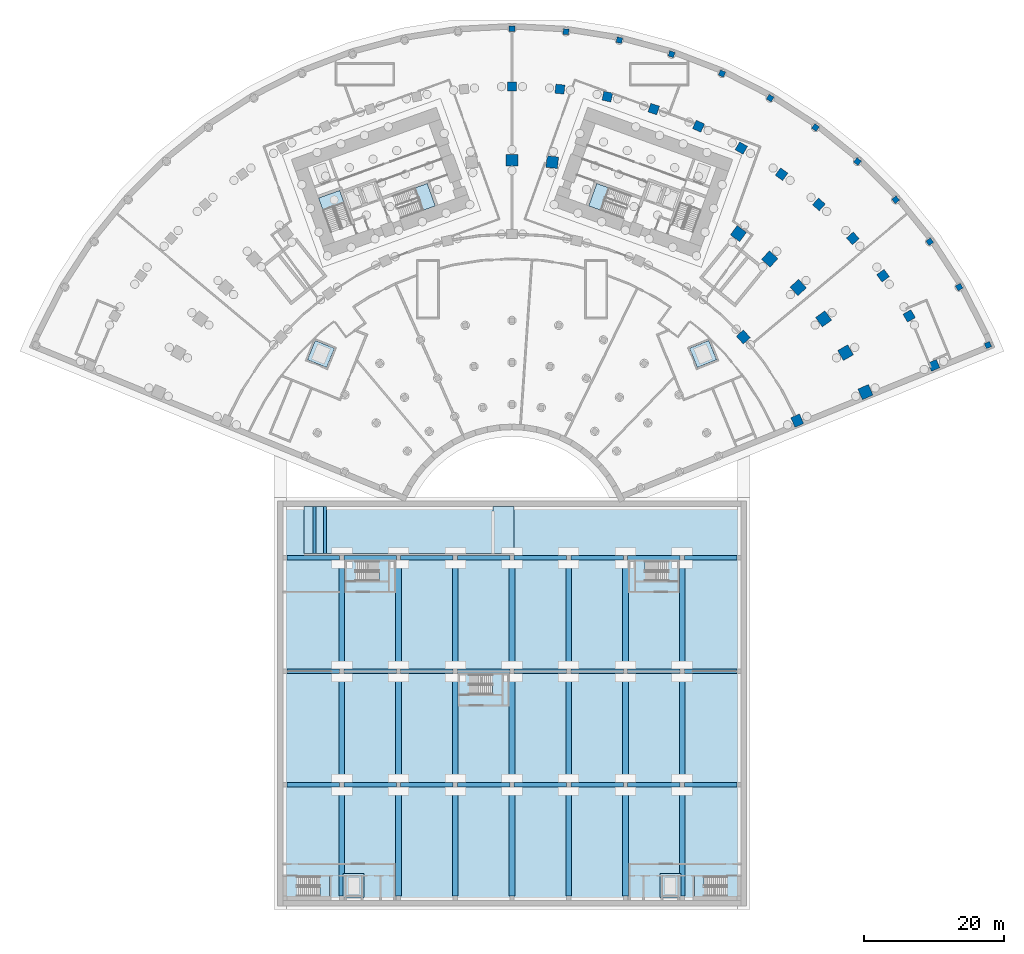
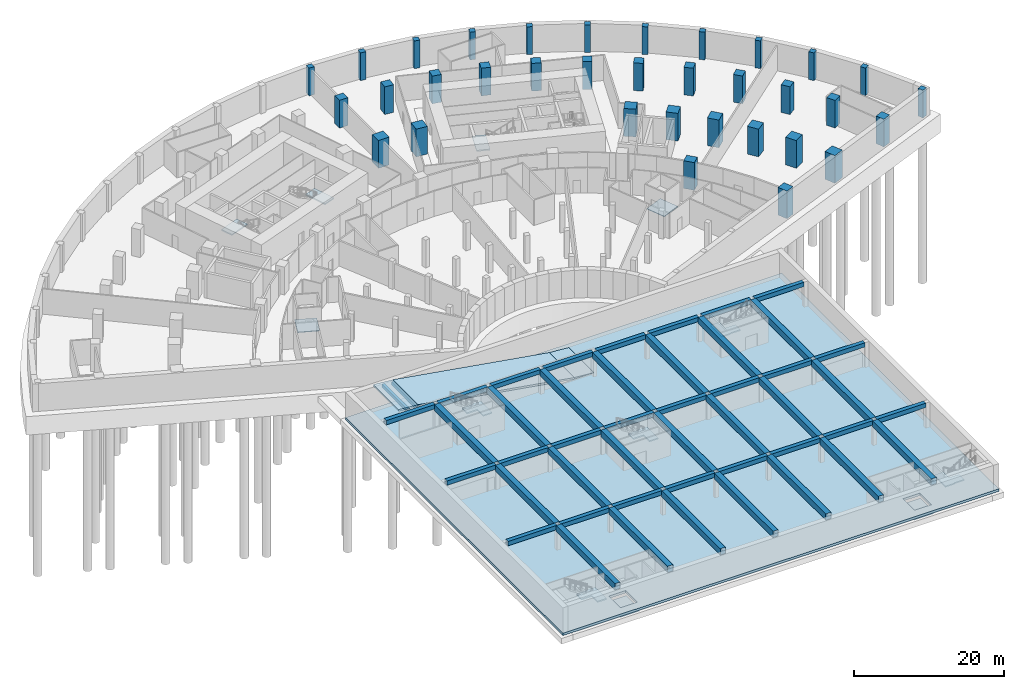
# One storey, part 3 of 25: 47 beams, 34 columns, 16 slabs, 8 elements without a shape of their own.
"""IFC4 building model written with IfcOpenShell, lengths in metres."""

from ifc_helpers import new_model, si_unit, direction, frame, origin, origin_2d, place, context, subcontext, project, spatial, polyline, rectangle, outline, extrude, material, layer, layer_set, material_profile, profile_set, type_object, element, aggregate, save


model = new_model("IFC4")

# Units and contexts
model_context = context("Model", 3, precision=1e-05, world=origin(), true_north=direction((0.0, 1.0)))
body_context = subcontext(model_context, "Body", "Model", "MODEL_VIEW")
ifc_project = project(units=[si_unit("LENGTHUNIT", "METRE"), si_unit("AREAUNIT", "SQUARE_METRE"), si_unit("VOLUMEUNIT", "CUBIC_METRE"), si_unit("PLANEANGLEUNIT", "RADIAN"), si_unit("MASSUNIT", "GRAM", prefix="KILO")], contexts=[model_context])

# Site, building, storey
site_placement = place(None, origin())
site = spatial("IfcSite", under=ifc_project, at=site_placement, CompositionType="ELEMENT")
building_placement = place(site_placement, origin())
building = spatial("IfcBuilding", under=site, at=building_placement, Name="Stone Belt Terrace Tower", CompositionType="ELEMENT")
storey_placement = place(building_placement, frame((0.0, 0.0, -13.5)))
storey = spatial("IfcBuildingStorey", under=building, at=storey_placement, Name="B3", CompositionType="ELEMENT", Elevation=-13.5)

# Columns
ifc_material_1 = material(Name="Concrete B80", Category="concrete")
ifc_material_profile_1 = material_profile(ifc_material_1, rectangle(XDim=1.300048828125, YDim=1.300048828125, at=origin_2d()), Name="RC 1300x1300")
ifc_profile_set_1 = profile_set([ifc_material_profile_1], Name="Concrete B80")
column_type_1 = type_object("IfcColumnType", Name="Column RC 1300x1300 B80", PredefinedType="COLUMN", material=ifc_profile_set_1)
for number, where, z_axis, x_axis, name in (
    (1, (0.0, 65.489013671875, 0.0), (0.0, 0.0, 1.0), (1.0, 0.0, 0.0), "Column B3 R22"),
    (2, (6.845458984375, 65.130126953125, 0.0), (0.0, 0.0, 1.0), (0.994521895368, -0.104528463268, 0.0), "Column B3 R23"),
    (3, (13.615966796875, 64.057861328125, 0.0), (0.0, 0.0, 1.0), (0.978147600734, -0.207911690818, 0.0), "Column B3 R24"),
    (4, (20.2373046875, 62.28369140625, 0.0), (0.0, 0.0, 1.0), (0.951056516295, -0.309016994375, 0.0), "Column B3 R25"),
    (5, (26.63671875, 59.8271484375, 0.0), (0.0, 0.0, 1.0), (0.913545457643, -0.406736643076, 0.0), "Column B3 R26"),
    (6, (32.744384765625, 56.715087890625, 0.0), (0.0, 0.0, 1.0), (0.866025403784, -0.5, 0.0), "Column B3 R27"),
    (7, (38.493408203125, 52.981689453125, 0.0), (0.0, 0.0, 1.0), (0.809016994375, -0.587785252292, 0.0), "Column B3 R28"),
    (8, (43.820556640625, 48.667724609375, 0.0), (0.0, 0.0, 1.0), (0.743144825477, -0.669130606359, 0.0), "Column B3 R29"),
    (9, (48.667724609375, 43.820556640625, 0.0), (0.0, 0.0, 1.0), (0.669130606359, -0.743144825477, 0.0), "Column B3 R30"),
    (10, (52.981689453125, 38.493408203125, 0.0), (0.0, 0.0, 1.0), (0.587785252292, -0.809016994375, 0.0), "Column B3 R31"),
    (11, (56.715087890625, 32.744384765625, 0.0), (0.0, 0.0, 1.0), (0.5, -0.866025403784, 0.0), "Column B3 R32"),
    (12, (60.24169921875, 25.68505859375, 0.0), (0.0, 0.0, 1.0), (0.392203865004, -0.919878322538, 0.0), "Column B3 RB"),
):
    element("IfcColumn", number, at=place(storey_placement, frame(where, z_axis=z_axis, x_axis=x_axis)), inside=storey, type_object=column_type_1, Name=name, PredefinedType="COLUMN", context=body_context, shape_type="SweptSolid", body=[
        extrude(rectangle(XDim=1.300048828125, YDim=1.300048828125, at=origin_2d()), origin(), (0.0, 0.0, 1.0), 4.5),
    ])
ifc_material_profile_2 = material_profile(ifc_material_1, rectangle(XDim=1.5, YDim=1.35009765625, at=origin_2d()), Name="RC 1500x1350")
ifc_profile_set_2 = profile_set([ifc_material_profile_2], Name="Concrete B80")
column_type_2 = type_object("IfcColumnType", Name="Column RC 1500x1350 B80", PredefinedType="COLUMN", material=ifc_profile_set_2)
for number, where, z_axis, x_axis, name in (
    (13, (33.029052734375, 29.739501953125, 0.0), (0.0, 0.0, 1.0), (0.669130606359, -0.743144825477, 0.0), "Column B3 P30"),
    (14, (40.727294921875, 17.794677734375, 0.0), (0.0, 0.0, 1.0), (0.40037622141, -0.916350850564, 0.0), "Column B3 PB"),
):
    element("IfcColumn", number, at=place(storey_placement, frame(where, z_axis=z_axis, x_axis=x_axis)), inside=storey, type_object=column_type_2, Name=name, PredefinedType="COLUMN", context=body_context, shape_type="SweptSolid", body=[
        extrude(rectangle(XDim=1.5, YDim=1.35009765625, at=origin_2d()), origin(), (0.0, 0.0, 1.0), 4.5),
    ])
ifc_material_profile_3 = material_profile(ifc_material_1, rectangle(XDim=1.64990234375, YDim=1.64990234375, at=origin_2d()), Name="RC 1650x1650")
ifc_profile_set_3 = profile_set([ifc_material_profile_3], Name="Concrete B80")
column_type_3 = type_object("IfcColumnType", Name="Column RC 1650x1650 B80", PredefinedType="COLUMN", material=ifc_profile_set_3)
for number, where, z_axis, x_axis, name in (
    (15, (0.0, 55.0, 0.0), (0.0, 0.0, 1.0), (1.0, 0.0, 0.0), "Column B3 Q22"),
    (16, (5.7490234375, 54.69873046875, 0.0), (0.0, 0.0, 1.0), (0.994521895368, -0.104528463268, 0.0), "Column B3 Q23"),
    (17, (32.328125, 44.495849609375, 0.0), (0.0, 0.0, 1.0), (0.809016994375, -0.587785252292, 0.0), "Column B3 Q28"),
    (18, (36.80224609375, 40.873046875, 0.0), (0.0, 0.0, 1.0), (0.743144825477, -0.669130606359, 0.0), "Column B3 Q29"),
    (19, (40.873046875, 36.80224609375, 0.0), (0.0, 0.0, 1.0), (0.669130606359, -0.743144825477, 0.0), "Column B3 Q30"),
    (20, (44.495849609375, 32.328125, 0.0), (0.0, 0.0, 1.0), (0.587785252292, -0.809016994375, 0.0), "Column B3 Q31"),
    (21, (47.63134765625, 27.5, 0.0), (0.0, 0.0, 1.0), (0.5, -0.866025403784, 0.0), "Column B3 Q32"),
    (22, (50.466064453125, 21.867431640625, 0.0), (0.0, 0.0, 1.0), (0.397588335471, -0.917563902678, 0.0), "Column B3 QB"),
):
    element("IfcColumn", number, at=place(storey_placement, frame(where, z_axis=z_axis, x_axis=x_axis)), inside=storey, type_object=column_type_3, Name=name, PredefinedType="COLUMN", context=body_context, shape_type="SweptSolid", body=[
        extrude(rectangle(XDim=1.64990234375, YDim=1.64990234375, at=origin_2d()), origin(), (0.0, 0.0, 1.0), 4.5),
    ])
ifc_material_2 = material(Name="Concrete B60", Category="concrete")
ifc_material_profile_4 = material_profile(ifc_material_2, rectangle(XDim=0.800048828125, YDim=0.800048828125, at=origin_2d()), Name="RC 800x800")
ifc_profile_set_4 = profile_set([ifc_material_profile_4], Name="Concrete B60")
column_type_4 = type_object("IfcColumnType", Name="Column RC 800x800 B60", PredefinedType="COLUMN", material=ifc_profile_set_4)
for number, where, z_axis, x_axis, name in (
    (23, (0.0, 73.727783203125, 0.0), (0.0, 0.0, 1.0), (1.0, 0.0, 0.0), "Column B3 S22"),
    (24, (7.706787109375, 73.323974609375, 0.0), (0.0, 0.0, 1.0), (0.994521895368, -0.104528463268, 0.0), "Column B3 S23"),
    (25, (15.328857421875, 72.11669921875, 0.0), (0.0, 0.0, 1.0), (0.978147600734, -0.207911690818, 0.0), "Column B3 S24"),
    (26, (22.783203125, 70.119384765625, 0.0), (0.0, 0.0, 1.0), (0.951056516295, -0.309016994375, 0.0), "Column B3 S25"),
    (27, (29.98779296875, 67.353759765625, 0.0), (0.0, 0.0, 1.0), (0.913545457643, -0.406736643076, 0.0), "Column B3 S26"),
    (28, (36.864013671875, 63.85009765625, 0.0), (0.0, 0.0, 1.0), (0.866025403784, -0.5, 0.0), "Column B3 S27"),
    (29, (43.336181640625, 59.647216796875, 0.0), (0.0, 0.0, 1.0), (0.809016994375, -0.587785252292, 0.0), "Column B3 S28"),
    (30, (49.33349609375, 54.79052734375, 0.0), (0.0, 0.0, 1.0), (0.743144825477, -0.669130606359, 0.0), "Column B3 S29"),
    (31, (54.79052734375, 49.33349609375, 0.0), (0.0, 0.0, 1.0), (0.669130606359, -0.743144825477, 0.0), "Column B3 S30"),
    (32, (59.647216796875, 43.336181640625, 0.0), (0.0, 0.0, 1.0), (0.587785252292, -0.809016994375, 0.0), "Column B3 S31"),
    (33, (63.85009765625, 36.864013671875, 0.0), (0.0, 0.0, 1.0), (0.5, -0.866025403784, 0.0), "Column B3 S32"),
    (34, (67.96337890625, 28.57958984375, 0.0), (0.0, 0.0, 1.0), (0.387636254736, -0.921812418019, 0.0), "Column B3 SB"),
):
    element("IfcColumn", number, at=place(storey_placement, frame(where, z_axis=z_axis, x_axis=x_axis)), inside=storey, type_object=column_type_4, Name=name, PredefinedType="COLUMN", context=body_context, shape_type="SweptSolid", body=[
        extrude(rectangle(XDim=0.800048828125, YDim=0.800048828125, at=origin_2d()), origin(), (0.0, 0.0, 1.0), 4.5),
    ])

# Beams
ifc_material_3 = material(Name="Concrete B40", Category="concrete")
ifc_material_profile_5 = material_profile(ifc_material_3, rectangle(XDim=0.800048828125, YDim=1.0, at=origin_2d()), Name="Car park girder 800 x 1000")
ifc_profile_set_5 = profile_set([ifc_material_profile_5], Name="Concrete B40")
beam_type_1 = type_object("IfcBeamType", Name="Car park girder 800 x 1000", PredefinedType="BEAM", material=ifc_profile_set_5)
beam_1_placement = place(storey_placement, frame((-24.300048828125, -50.10009765625, 3.60009765625), z_axis=(0.0, 1.0, 0.0), x_axis=(-1.0, 0.0, 0.0)))
element("IfcBeam", 35, at=beam_1_placement, inside=storey, type_object=beam_type_1, Name="Car park girder 2A-C", PredefinedType="BEAM", context=body_context, shape_type="SweptSolid", body=[
    extrude(rectangle(XDim=0.800048828125, YDim=1.0, at=origin_2d()), origin(), (0.0, 0.0, 1.0), 15.60009765625),
])
for number, where, z_axis, x_axis, name in (
    (36, (-24.300048828125, -33.89990234375, 3.60009765625), (0.0, 1.0, 0.0), (-1.0, 0.0, 0.0), "Car park girder 2C-E"),
    (37, (-24.300048828125, -17.699951171875, 3.60009765625), (0.0, 1.0, 0.0), (-1.0, 0.0, 0.0), "Car park girder 2E-G"),
):
    element("IfcBeam", number, at=place(storey_placement, frame(where, z_axis=z_axis, x_axis=x_axis)), inside=storey, type_object=beam_type_1, Name=name, PredefinedType="BEAM", context=body_context, shape_type="SweptSolid", body=[
        extrude(rectangle(XDim=0.800048828125, YDim=1.0, at=origin_2d()), origin(), (0.0, 0.0, 1.0), 15.599853515625),
    ])
beam_2_placement = place(storey_placement, frame((-16.199951171875, -50.10009765625, 3.60009765625), z_axis=(0.0, 1.0, 0.0), x_axis=(-1.0, 0.0, 0.0)))
element("IfcBeam", 38, at=beam_2_placement, inside=storey, type_object=beam_type_1, Name="Car park girder 3A-C", PredefinedType="BEAM", context=body_context, shape_type="SweptSolid", body=[
    extrude(rectangle(XDim=0.800048828125, YDim=1.0, at=origin_2d()), origin(), (0.0, 0.0, 1.0), 15.60009765625),
])
for number, where, z_axis, x_axis, name in (
    (39, (-16.199951171875, -33.89990234375, 3.60009765625), (0.0, 1.0, 0.0), (-1.0, 0.0, 0.0), "Car park girder 3C-E"),
    (40, (-16.199951171875, -17.699951171875, 3.60009765625), (0.0, 1.0, 0.0), (-1.0, 0.0, 0.0), "Car park girder 3E-G"),
):
    element("IfcBeam", number, at=place(storey_placement, frame(where, z_axis=z_axis, x_axis=x_axis)), inside=storey, type_object=beam_type_1, Name=name, PredefinedType="BEAM", context=body_context, shape_type="SweptSolid", body=[
        extrude(rectangle(XDim=0.800048828125, YDim=1.0, at=origin_2d()), origin(), (0.0, 0.0, 1.0), 15.599853515625),
    ])
beam_3_placement = place(storey_placement, frame((-8.10009765625, -50.10009765625, 3.60009765625), z_axis=(0.0, 1.0, 0.0), x_axis=(-1.0, 0.0, 0.0)))
element("IfcBeam", 41, at=beam_3_placement, inside=storey, type_object=beam_type_1, Name="Car park girder 4A-C", PredefinedType="BEAM", context=body_context, shape_type="SweptSolid", body=[
    extrude(rectangle(XDim=0.800048828125, YDim=1.0, at=origin_2d()), origin(), (0.0, 0.0, 1.0), 15.60009765625),
])
for number, where, z_axis, x_axis, name in (
    (42, (-8.10009765625, -33.89990234375, 3.60009765625), (0.0, 1.0, 0.0), (-1.0, 0.0, 0.0), "Car park girder 4C-E"),
    (43, (-8.10009765625, -17.699951171875, 3.60009765625), (0.0, 1.0, 0.0), (-1.0, 0.0, 0.0), "Car park girder 4E-G"),
):
    element("IfcBeam", number, at=place(storey_placement, frame(where, z_axis=z_axis, x_axis=x_axis)), inside=storey, type_object=beam_type_1, Name=name, PredefinedType="BEAM", context=body_context, shape_type="SweptSolid", body=[
        extrude(rectangle(XDim=0.800048828125, YDim=1.0, at=origin_2d()), origin(), (0.0, 0.0, 1.0), 15.599853515625),
    ])
beam_4_placement = place(storey_placement, frame((0.0, -50.10009765625, 3.60009765625), z_axis=(0.0, 1.0, 0.0), x_axis=(-1.0, 0.0, 0.0)))
element("IfcBeam", 44, at=beam_4_placement, inside=storey, type_object=beam_type_1, Name="Car park girder 5A-C", PredefinedType="BEAM", context=body_context, shape_type="SweptSolid", body=[
    extrude(rectangle(XDim=0.800048828125, YDim=1.0, at=origin_2d()), origin(), (0.0, 0.0, 1.0), 15.60009765625),
])
for number, where, z_axis, x_axis, name in (
    (45, (0.0, -33.89990234375, 3.60009765625), (0.0, 1.0, 0.0), (-1.0, 0.0, 0.0), "Car park girder 5C-E"),
    (46, (0.0, -17.699951171875, 3.60009765625), (0.0, 1.0, 0.0), (-1.0, 0.0, 0.0), "Car park girder 5E-G"),
):
    element("IfcBeam", number, at=place(storey_placement, frame(where, z_axis=z_axis, x_axis=x_axis)), inside=storey, type_object=beam_type_1, Name=name, PredefinedType="BEAM", context=body_context, shape_type="SweptSolid", body=[
        extrude(rectangle(XDim=0.800048828125, YDim=1.0, at=origin_2d()), origin(), (0.0, 0.0, 1.0), 15.599853515625),
    ])
beam_5_placement = place(storey_placement, frame((8.10009765625, -50.10009765625, 3.60009765625), z_axis=(0.0, 1.0, 0.0), x_axis=(-1.0, 0.0, 0.0)))
element("IfcBeam", 47, at=beam_5_placement, inside=storey, type_object=beam_type_1, Name="Car park girder 6A-C", PredefinedType="BEAM", context=body_context, shape_type="SweptSolid", body=[
    extrude(rectangle(XDim=0.800048828125, YDim=1.0, at=origin_2d()), origin(), (0.0, 0.0, 1.0), 15.60009765625),
])
for number, where, z_axis, x_axis, name in (
    (48, (8.10009765625, -33.89990234375, 3.60009765625), (0.0, 1.0, 0.0), (-1.0, 0.0, 0.0), "Car park girder 6C-E"),
    (49, (8.10009765625, -17.699951171875, 3.60009765625), (0.0, 1.0, 0.0), (-1.0, 0.0, 0.0), "Car park girder 6E-G"),
):
    element("IfcBeam", number, at=place(storey_placement, frame(where, z_axis=z_axis, x_axis=x_axis)), inside=storey, type_object=beam_type_1, Name=name, PredefinedType="BEAM", context=body_context, shape_type="SweptSolid", body=[
        extrude(rectangle(XDim=0.800048828125, YDim=1.0, at=origin_2d()), origin(), (0.0, 0.0, 1.0), 15.599853515625),
    ])
beam_6_placement = place(storey_placement, frame((16.199951171875, -50.10009765625, 3.60009765625), z_axis=(0.0, 1.0, 0.0), x_axis=(-1.0, 0.0, 0.0)))
element("IfcBeam", 50, at=beam_6_placement, inside=storey, type_object=beam_type_1, Name="Car park girder 7A-C", PredefinedType="BEAM", context=body_context, shape_type="SweptSolid", body=[
    extrude(rectangle(XDim=0.800048828125, YDim=1.0, at=origin_2d()), origin(), (0.0, 0.0, 1.0), 15.60009765625),
])
for number, where, z_axis, x_axis, name in (
    (51, (16.199951171875, -33.89990234375, 3.60009765625), (0.0, 1.0, 0.0), (-1.0, 0.0, 0.0), "Car park girder 7C-E"),
    (52, (16.199951171875, -17.699951171875, 3.60009765625), (0.0, 1.0, 0.0), (-1.0, 0.0, 0.0), "Car park girder 7E-G"),
):
    element("IfcBeam", number, at=place(storey_placement, frame(where, z_axis=z_axis, x_axis=x_axis)), inside=storey, type_object=beam_type_1, Name=name, PredefinedType="BEAM", context=body_context, shape_type="SweptSolid", body=[
        extrude(rectangle(XDim=0.800048828125, YDim=1.0, at=origin_2d()), origin(), (0.0, 0.0, 1.0), 15.599853515625),
    ])
beam_7_placement = place(storey_placement, frame((24.300048828125, -50.10009765625, 3.60009765625), z_axis=(0.0, 1.0, 0.0), x_axis=(-1.0, 0.0, 0.0)))
element("IfcBeam", 53, at=beam_7_placement, inside=storey, type_object=beam_type_1, Name="Car park girder 8A-C", PredefinedType="BEAM", context=body_context, shape_type="SweptSolid", body=[
    extrude(rectangle(XDim=0.800048828125, YDim=1.0, at=origin_2d()), origin(), (0.0, 0.0, 1.0), 15.60009765625),
])
for number, where, z_axis, x_axis, name in (
    (54, (24.300048828125, -33.89990234375, 3.60009765625), (0.0, 1.0, 0.0), (-1.0, 0.0, 0.0), "Car park girder 8C-E"),
    (55, (24.300048828125, -17.699951171875, 3.60009765625), (0.0, 1.0, 0.0), (-1.0, 0.0, 0.0), "Car park girder 8E-G"),
):
    element("IfcBeam", number, at=place(storey_placement, frame(where, z_axis=z_axis, x_axis=x_axis)), inside=storey, type_object=beam_type_1, Name=name, PredefinedType="BEAM", context=body_context, shape_type="SweptSolid", body=[
        extrude(rectangle(XDim=0.800048828125, YDim=1.0, at=origin_2d()), origin(), (0.0, 0.0, 1.0), 15.599853515625),
    ])
ifc_material_profile_6 = material_profile(ifc_material_3, rectangle(XDim=0.39990234375, YDim=0.5, at=origin_2d()), Name="Car park ramp bearing beam 400 x 500")
ifc_profile_set_6 = profile_set([ifc_material_profile_6], Name="Concrete B40")
beam_type_2 = type_object("IfcBeamType", Name="Car park ramp bearing beam 400 x 500", PredefinedType="BEAM", material=ifc_profile_set_6)
for number, where, z_axis, x_axis, name in (
    (56, (-26.699951171875, -1.199951171875, 3.719970703125), (0.0, 1.0, 0.0), (-1.0, 0.0, 0.0), "Car park ramp R2 B2 to B3 bearing beam"),
    (57, (-28.199951171875, -1.199951171875, 3.844970703125), (0.0, 1.0, 0.0), (-1.0, 0.0, 0.0), "Car park ramp R2 B2 to B3 transition beam"),
):
    element("IfcBeam", number, at=place(storey_placement, frame(where, z_axis=z_axis, x_axis=x_axis)), inside=storey, type_object=beam_type_2, Name=name, PredefinedType="BEAM", context=body_context, shape_type="SweptSolid", body=[
        extrude(rectangle(XDim=0.39990234375, YDim=0.5, at=origin_2d()), origin(), (0.0, 0.0, 1.0), 6.699951171875),
    ])
ifc_material_profile_7 = material_profile(ifc_material_3, rectangle(XDim=0.60009765625, YDim=0.699951171875, at=origin_2d()), Name="Car park tie beam 600 x 700")
ifc_profile_set_7 = profile_set([ifc_material_profile_7], Name="Concrete B40")
beam_type_3 = type_object("IfcBeamType", Name="Car park tie beam 600 x 700", PredefinedType="BEAM", material=ifc_profile_set_7)
for number, where, z_axis, x_axis, name in (
    (58, (-32.10009765625, -34.199951171875, 3.75), (1.0, 0.0, 0.0), (0.0, 1.0, 0.0), "Car park tie beam 1C-2"),
    (59, (-24.0, -34.199951171875, 3.75), (1.0, 0.0, 0.0), (0.0, 1.0, 0.0), "Car park tie beam 2C-3"),
    (60, (-15.89990234375, -34.199951171875, 3.75), (1.0, 0.0, 0.0), (0.0, 1.0, 0.0), "Car park tie beam 3C-4"),
    (61, (-7.800048828125, -34.199951171875, 3.75), (1.0, 0.0, 0.0), (0.0, 1.0, 0.0), "Car park tie beam 4C-5"),
    (62, (0.300048828125, -34.199951171875, 3.75), (1.0, 0.0, 0.0), (0.0, 1.0, 0.0), "Car park tie beam 5C-6"),
    (63, (8.39990234375, -34.199951171875, 3.75), (1.0, 0.0, 0.0), (0.0, 1.0, 0.0), "Car park tie beam 6C-7"),
    (64, (16.5, -34.199951171875, 3.75), (1.0, 0.0, 0.0), (0.0, 1.0, 0.0), "Car park tie beam 7C-8"),
    (65, (24.60009765625, -34.199951171875, 3.75), (1.0, 0.0, 0.0), (0.0, 1.0, 0.0), "Car park tie beam 8C-9"),
    (66, (-32.10009765625, -18.0, 3.75), (1.0, 0.0, 0.0), (0.0, 1.0, 0.0), "Car park tie beam 1E-2"),
    (67, (-24.0, -18.0, 3.75), (1.0, 0.0, 0.0), (0.0, 1.0, 0.0), "Car park tie beam 2E-3"),
    (68, (-15.89990234375, -18.0, 3.75), (1.0, 0.0, 0.0), (0.0, 1.0, 0.0), "Car park tie beam 3E-4"),
    (69, (-7.800048828125, -18.0, 3.75), (1.0, 0.0, 0.0), (0.0, 1.0, 0.0), "Car park tie beam 4E-5"),
    (70, (0.300048828125, -18.0, 3.75), (1.0, 0.0, 0.0), (0.0, 1.0, 0.0), "Car park tie beam 5E-6"),
    (71, (8.39990234375, -18.0, 3.75), (1.0, 0.0, 0.0), (0.0, 1.0, 0.0), "Car park tie beam 6E-7"),
    (72, (16.5, -18.0, 3.75), (1.0, 0.0, 0.0), (0.0, 1.0, 0.0), "Car park tie beam 7E-8"),
    (73, (24.60009765625, -18.0, 3.75), (1.0, 0.0, 0.0), (0.0, 1.0, 0.0), "Car park tie beam 8E-9"),
    (74, (-32.10009765625, -1.800048828125, 3.75), (1.0, 0.0, 0.0), (0.0, 1.0, 0.0), "Car park tie beam 1G-2"),
    (75, (-24.0, -1.800048828125, 3.75), (1.0, 0.0, 0.0), (0.0, 1.0, 0.0), "Car park tie beam 2G-3"),
    (76, (-15.89990234375, -1.800048828125, 3.75), (1.0, 0.0, 0.0), (0.0, 1.0, 0.0), "Car park tie beam 3G-4"),
    (77, (-7.800048828125, -1.800048828125, 3.75), (1.0, 0.0, 0.0), (0.0, 1.0, 0.0), "Car park tie beam 4G-5"),
    (78, (0.300048828125, -1.800048828125, 3.75), (1.0, 0.0, 0.0), (0.0, 1.0, 0.0), "Car park tie beam 5G-6"),
    (79, (8.39990234375, -1.800048828125, 3.75), (1.0, 0.0, 0.0), (0.0, 1.0, 0.0), "Car park tie beam 6G-7"),
    (80, (16.5, -1.800048828125, 3.75), (1.0, 0.0, 0.0), (0.0, 1.0, 0.0), "Car park tie beam 7G-8"),
    (81, (24.60009765625, -1.800048828125, 3.75), (1.0, 0.0, 0.0), (0.0, 1.0, 0.0), "Car park tie beam 8G-9"),
):
    element("IfcBeam", number, at=place(storey_placement, frame(where, z_axis=z_axis, x_axis=x_axis)), inside=storey, type_object=beam_type_3, Name=name, PredefinedType="BEAM", context=body_context, shape_type="SweptSolid", body=[
        extrude(rectangle(XDim=0.60009765625, YDim=0.699951171875, at=origin_2d()), origin(), (0.0, 0.0, 1.0), 7.5),
    ])

# Slabs
ifc_material_4 = material(Name="Concrete B30", Category="concrete")
ifc_layer_1 = layer(ifc_material_4, 0.39990234375)
ifc_layer_set_1 = layer_set([ifc_layer_1], Name="Car park base slab 400")
slab_type_1 = type_object("IfcSlabType", Name="Car park base slab 400", PredefinedType="BASESLAB", material=ifc_layer_set_1)
slab_1_placement = place(storey_placement, frame((0.0, 0.0, -0.39990234375)))
element("IfcSlab", 82, at=slab_1_placement, inside=storey, type_object=slab_type_1, Name="Car park floor B3", PredefinedType="BASESLAB", context=body_context, shape_type="SweptSolid", body=[
    extrude(outline(polyline([(-33.5, -51.5), (33.5, -51.5), (33.5, 6.300048828125), (-33.5, 6.300048828125), (-33.5, -51.5)]), holes=[polyline([(-6.0, -1.199951171875), (0.300048828125, -1.199951171875), (0.300048828125, 5.5), (-6.0, 5.5), (-6.0, -1.199951171875)]), polyline([(-23.89990234375, -47.10009765625), (-23.89990234375, -50.199951171875), (-21.300048828125, -50.199951171875), (-21.300048828125, -47.10009765625), (-23.89990234375, -47.10009765625)]), polyline([(23.89990234375, -47.10009765625), (21.300048828125, -47.10009765625), (21.300048828125, -50.199951171875), (23.89990234375, -50.199951171875), (23.89990234375, -47.10009765625)])]), origin(), (0.0, 0.0, 1.0), 0.39990234375),
])
ifc_layer_2 = layer(ifc_material_4, 0.449951171875)
ifc_layer_set_2 = layer_set([ifc_layer_2], Name="Car park lift pit slab 450")
slab_type_2 = type_object("IfcSlabType", Name="Car park lift pit slab 450", PredefinedType="BASESLAB", material=ifc_layer_set_2)
slab_2_placement = place(storey_placement, frame((0.0, 0.0, -1.449951171875)))
element("IfcSlab", 83, at=slab_2_placement, inside=storey, type_object=slab_type_2, Name="Lift pit 1", PredefinedType="BASESLAB", context=body_context, shape_type="SweptSolid", body=[
    extrude(outline(polyline([(-24.10009765625, -50.39990234375), (-21.10009765625, -50.39990234375), (-21.10009765625, -46.89990234375), (-24.10009765625, -46.89990234375), (-24.10009765625, -50.39990234375)])), origin(), (0.0, 0.0, 1.0), 0.449951171875),
])
slab_3_placement = place(storey_placement, frame((0.0, 0.0, -1.449951171875)))
element("IfcSlab", 84, at=slab_3_placement, inside=storey, type_object=slab_type_2, Name="Lift pit 2", PredefinedType="BASESLAB", context=body_context, shape_type="SweptSolid", body=[
    extrude(outline(polyline([(21.10009765625, -50.39990234375), (24.10009765625, -50.39990234375), (24.10009765625, -46.89990234375), (21.10009765625, -46.89990234375), (21.10009765625, -50.39990234375)])), origin(), (0.0, 0.0, 1.0), 0.449951171875),
])
ifc_layer_3 = layer(ifc_material_3, 0.300048828125)
ifc_layer_set_3 = layer_set([ifc_layer_3], Name="Car park ramp slab 300 B40")
slab_type_3 = type_object("IfcSlabType", Name="Car park ramp slab 300 B40", PredefinedType="FLOOR", material=ifc_layer_set_3)
slab_4_placement = place(storey_placement, frame((-29.699951171875, -1.199951171875, 4.199951171875), z_axis=(0.0, -1.0, 0.0), x_axis=(0.996545758245, 0.0, -0.083045479854)))
element("IfcSlab", 85, at=slab_4_placement, inside=storey, type_object=slab_type_3, Name="Car park ramp R2 B2 to B3 flight 1", PredefinedType="FLOOR", context=body_context, shape_type="SweptSolid", body=[
    extrude(outline(polyline([(0.0, 0.0), (3.010398644698074, 2.7755575615628914e-17), (2.985480945786881, 0.29901238693431575), (-0.02491769891119298, 0.2990123869343157), (0.0, 0.0)])), origin(), (0.0, 0.0, -1.0), 6.699951171875),
])
slab_5_placement = place(storey_placement, frame((-26.699951171875, -1.199951171875, 3.949951171875), z_axis=(0.0, -1.0, 0.0), x_axis=(0.986393923832, 0.0, -0.164398987305)))
element("IfcSlab", 86, at=slab_5_placement, inside=storey, type_object=slab_type_3, Name="Car park ramp R2 B2 to B3 flight 2", PredefinedType="FLOOR", context=body_context, shape_type="SweptSolid", body=[
    extrude(outline(polyline([(0.0, 0.0), (24.33105012119288, 0.0), (24.28172239770697, 0.2959663409154554), (-0.049327723485909206, 0.29596634091545526), (0.0, 0.0)])), origin(), (0.0, 0.0, -1.0), 6.699951171875),
])
slab_6_placement = place(storey_placement, frame((-2.699951171875, -1.199951171875, -0.050048828125), z_axis=(0.0, -1.0, 0.0), x_axis=(0.996545758245, 0.0, -0.083045479854)))
element("IfcSlab", 87, at=slab_6_placement, inside=storey, type_object=slab_type_3, Name="Car park ramp R2 B2 to B3 flight 3", PredefinedType="FLOOR", context=body_context, shape_type="SweptSolid", body=[
    extrude(outline(polyline([(0.0, 0.0), (3.010398644698074, 2.7755575615628914e-17), (2.985480945786881, 0.29901238693431575), (-0.02491769891119298, 0.2990123869343157), (0.0, 0.0)])), origin(), (0.0, 0.0, -1.0), 6.699951171875),
])

# Stair, slab
stair_type_1 = type_object("IfcStairType", Name="Car park stair 1200", PredefinedType="HALF_TURN_STAIR", material=ifc_material_4)
stair_1_placement = place(storey_placement, origin())
stair_1 = element("IfcStair", 88, at=stair_1_placement, inside=storey, type_object=stair_type_1, Name="B3 Car park stair 1", PredefinedType="HALF_TURN_STAIR")
ifc_layer_4 = layer(ifc_material_4, 0.199951171875)
ifc_layer_set_4 = layer_set([ifc_layer_4], Name="Car park stair landing 200")
slab_type_4 = type_object("IfcSlabType", Name="Car park stair landing 200", PredefinedType="LANDING", material=ifc_layer_set_4)
slab_7_placement = place(storey_placement, frame((0.0, 0.0, 2.050048828125)))
slab_7 = element("IfcSlab", 89, at=slab_7_placement, type_object=slab_type_4, Name="CS1 landing 1", PredefinedType="LANDING", context=body_context, shape_type="SweptSolid", body=[
    extrude(outline(polyline([(-27.409912109375, -50.199951171875), (-26.0400390625, -50.199951171875), (-26.0400390625, -47.199951171875), (-27.409912109375, -47.199951171875), (-27.409912109375, -47.300048828125), (-28.989990234375, -47.300048828125), (-28.989990234375, -48.64990234375), (-27.409912109375, -48.64990234375), (-27.409912109375, -50.199951171875)])), origin(), (0.0, 0.0, 1.0), 0.199951171875),
])
aggregate(stair_1, [slab_7])

stair_2_placement = place(storey_placement, origin())
stair_2 = element("IfcStair", 90, at=stair_2_placement, inside=storey, type_object=stair_type_1, Name="B3 Car park stair 2", PredefinedType="HALF_TURN_STAIR")
slab_8_placement = place(storey_placement, frame((0.0, 0.0, 2.050048828125)))
slab_8 = element("IfcSlab", 91, at=slab_8_placement, type_object=slab_type_4, Name="CS2 landing 1", PredefinedType="LANDING", context=body_context, shape_type="SweptSolid", body=[
    extrude(outline(polyline([(26.0400390625, -50.199951171875), (27.409912109375, -50.199951171875), (27.409912109375, -50.10009765625), (28.989990234375, -50.10009765625), (28.989990234375, -48.75), (27.409912109375, -48.75), (27.409912109375, -47.199951171875), (26.0400390625, -47.199951171875), (26.0400390625, -50.199951171875)])), origin(), (0.0, 0.0, 1.0), 0.199951171875),
])
aggregate(stair_2, [slab_8])

stair_3_placement = place(storey_placement, origin())
stair_3 = element("IfcStair", 92, at=stair_3_placement, inside=storey, type_object=stair_type_1, Name="B3 Car park stair 3", PredefinedType="HALF_TURN_STAIR")
slab_9_placement = place(storey_placement, frame((0.0, 0.0, 2.050048828125)))
slab_9 = element("IfcSlab", 93, at=slab_9_placement, type_object=slab_type_4, Name="CS3 landing 1", PredefinedType="LANDING", context=body_context, shape_type="SweptSolid", body=[
    extrude(outline(polyline([(-19.010009765625, -5.199951171875), (-17.639892578125, -5.199951171875), (-17.639892578125, -2.199951171875), (-19.010009765625, -2.199951171875), (-19.010009765625, -2.300048828125), (-20.590087890625, -2.300048828125), (-20.590087890625, -3.64990234375), (-19.010009765625, -3.64990234375), (-19.010009765625, -5.199951171875)])), origin(), (0.0, 0.0, 1.0), 0.199951171875),
])
aggregate(stair_3, [slab_9])

stair_4_placement = place(storey_placement, origin())
stair_4 = element("IfcStair", 94, at=stair_4_placement, inside=storey, type_object=stair_type_1, Name="B3 Car park stair 4", PredefinedType="HALF_TURN_STAIR")
slab_10_placement = place(storey_placement, frame((0.0, 0.0, 2.050048828125)))
slab_10 = element("IfcSlab", 95, at=slab_10_placement, type_object=slab_type_4, Name="CS4 landing 1", PredefinedType="LANDING", context=body_context, shape_type="SweptSolid", body=[
    extrude(outline(polyline([(17.639892578125, -5.199951171875), (19.010009765625, -5.199951171875), (19.010009765625, -5.10009765625), (20.590087890625, -5.10009765625), (20.590087890625, -3.75), (19.010009765625, -3.75), (19.010009765625, -2.199951171875), (17.639892578125, -2.199951171875), (17.639892578125, -5.199951171875)])), origin(), (0.0, 0.0, 1.0), 0.199951171875),
])
aggregate(stair_4, [slab_10])

stair_5_placement = place(storey_placement, origin())
stair_5 = element("IfcStair", 96, at=stair_5_placement, inside=storey, type_object=stair_type_1, Name="B3 Car park stair 5", PredefinedType="HALF_TURN_STAIR")
slab_11_placement = place(storey_placement, frame((0.0, 0.0, 2.050048828125)))
slab_11 = element("IfcSlab", 97, at=slab_11_placement, type_object=slab_type_4, Name="CS5 landing 1", PredefinedType="LANDING", context=body_context, shape_type="SweptSolid", body=[
    extrude(outline(polyline([(-2.81005859375, -21.39990234375), (-1.43994140625, -21.39990234375), (-1.43994140625, -18.39990234375), (-2.81005859375, -18.39990234375), (-2.81005859375, -18.5), (-4.389892578125, -18.5), (-4.389892578125, -19.85009765625), (-2.81005859375, -19.85009765625), (-2.81005859375, -21.39990234375)])), origin(), (0.0, 0.0, 1.0), 0.199951171875),
])
aggregate(stair_5, [slab_11])

# Slabs
ifc_layer_5 = layer(ifc_material_4, 0.10009765625)
ifc_layer_set_5 = layer_set([ifc_layer_5], Name="Lift pit floor slab 100")
slab_type_5 = type_object("IfcSlabType", Name="Lift pit floor slab 100", PredefinedType="BASESLAB", material=ifc_layer_set_5)
slab_12_placement = place(storey_placement, origin())
element("IfcSlab", 98, at=slab_12_placement, inside=storey, type_object=slab_type_5, Name="Lift pit floor slab", PredefinedType="BASESLAB", context=body_context, shape_type="SweptSolid", body=[
    extrude(outline(polyline([(-29.212890625, 26.4990234375), (-28.090087890625, 29.237060546875), (-25.35205078125, 28.114013671875), (-26.47509765625, 25.3759765625), (-29.212890625, 26.4990234375)])), origin(), (0.0, 0.0, 1.0), 0.10009765625),
])
slab_13_placement = place(storey_placement, origin())
element("IfcSlab", 99, at=slab_13_placement, inside=storey, type_object=slab_type_5, Name="Lift pit floor slab", PredefinedType="BASESLAB", context=body_context, shape_type="SweptSolid", body=[
    extrude(outline(polyline([(25.35205078125, 28.114013671875), (28.090087890625, 29.237060546875), (29.212890625, 26.4990234375), (26.47509765625, 25.3759765625), (25.35205078125, 28.114013671875)])), origin(), (0.0, 0.0, 1.0), 0.10009765625),
])

# Stair, slab
stair_type_2 = type_object("IfcStairType", Name="Exit stair 1500", PredefinedType="HALF_TURN_STAIR", material=ifc_material_3)
stair_6_placement = place(storey_placement, origin())
stair_6 = element("IfcStair", 100, at=stair_6_placement, inside=storey, type_object=stair_type_2, Name="B3 Exit stair 1 core A", PredefinedType="HALF_TURN_STAIR")
ifc_layer_6 = layer(ifc_material_3, 0.199951171875)
ifc_layer_set_6 = layer_set([ifc_layer_6], Name="Stair landing 200")
slab_type_6 = type_object("IfcSlabType", Name="Stair landing 200", PredefinedType="LANDING", material=ifc_layer_set_6)
slab_14_placement = place(storey_placement, frame((0.0, 0.0, 2.050048828125)))
slab_14 = element("IfcSlab", 101, at=slab_14_placement, type_object=slab_type_6, Name="ST1A landing 1", PredefinedType="LANDING", context=body_context, shape_type="SweptSolid", body=[
    extrude(outline(polyline([(-23.985107421875, 48.927734375), (-24.6083984375, 50.659912109375), (-27.619384765625, 49.576171875), (-26.99609375, 47.84423828125), (-23.985107421875, 48.927734375)])), origin(), (0.0, 0.0, 1.0), 0.199951171875),
])
aggregate(stair_6, [slab_14])

stair_7_placement = place(storey_placement, origin())
stair_7 = element("IfcStair", 102, at=stair_7_placement, inside=storey, type_object=stair_type_2, Name="B3 Exit stair 2 core A", PredefinedType="HALF_TURN_STAIR")
slab_15_placement = place(storey_placement, frame((0.0, 0.0, 2.050048828125)))
slab_15 = element("IfcSlab", 103, at=slab_15_placement, type_object=slab_type_6, Name="ST2A landing 1", PredefinedType="LANDING", context=body_context, shape_type="SweptSolid", body=[
    extrude(outline(polyline([(-12.6865234375, 47.82958984375), (-10.95458984375, 48.453125), (-12.10595703125, 51.652099609375), (-13.837890625, 51.02880859375), (-12.6865234375, 47.82958984375)])), origin(), (0.0, 0.0, 1.0), 0.199951171875),
])
aggregate(stair_7, [slab_15])

stair_8_placement = place(storey_placement, origin())
stair_8 = element("IfcStair", 104, at=stair_8_placement, inside=storey, type_object=stair_type_2, Name="B3 Exit stair 2 core B", PredefinedType="HALF_TURN_STAIR")
slab_16_placement = place(storey_placement, frame((0.0, 0.0, 2.050048828125)))
slab_16 = element("IfcSlab", 105, at=slab_16_placement, type_object=slab_type_6, Name="ST2B landing 1", PredefinedType="LANDING", context=body_context, shape_type="SweptSolid", body=[
    extrude(outline(polyline([(13.837890625, 51.02880859375), (12.10595703125, 51.652099609375), (10.95458984375, 48.453125), (12.6865234375, 47.82958984375), (13.837890625, 51.02880859375)])), origin(), (0.0, 0.0, 1.0), 0.199951171875),
])
aggregate(stair_8, [slab_16])

save(model, "model.ifc")
